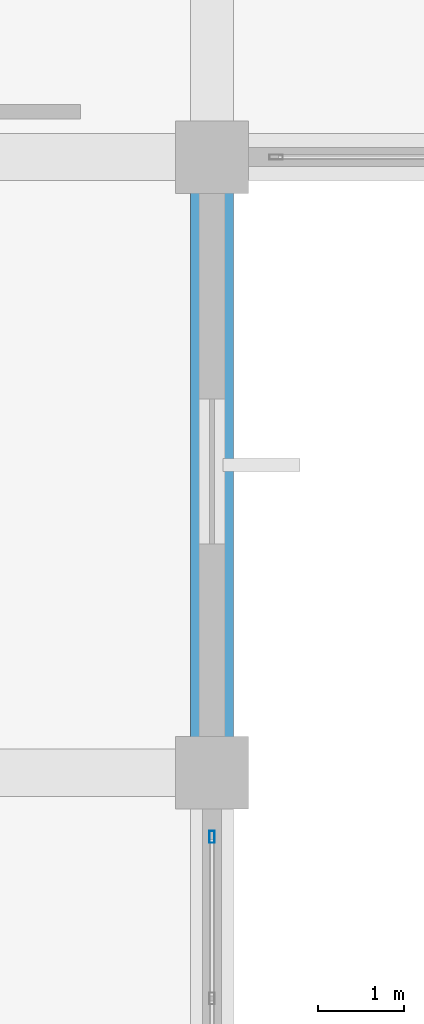
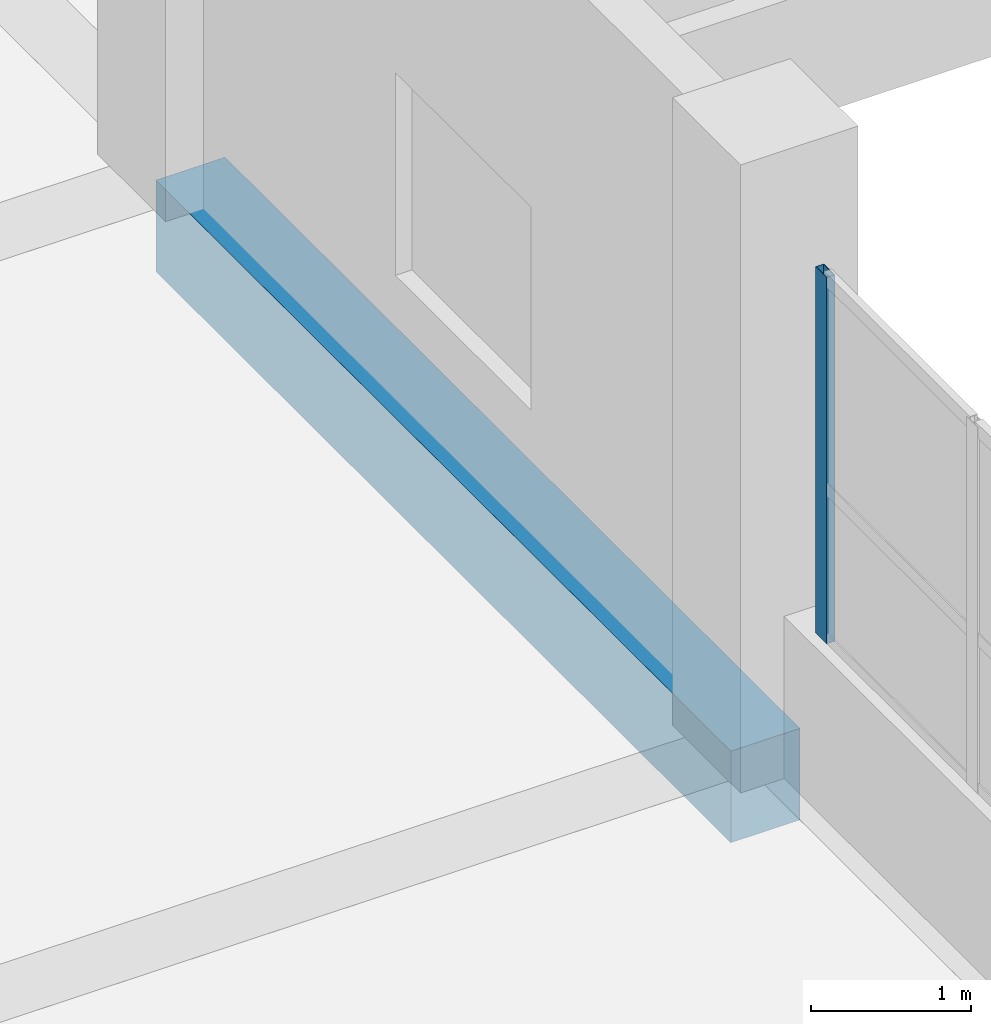
# One storey, part 92 of 181: 1 beam, 1 member, 1 element without a shape of its own.
"""IFC4 building model written with IfcOpenShell, lengths in metres."""

from ifc_helpers import new_model, si_unit, direction, frame, origin, origin_2d, place, context, subcontext, project, spatial, rectangle, hollow_rectangle, extrude, material, layer, layer_set, material_profile, profile_set, type_object, element, aggregate, save


model = new_model("IFC4")

# Units and contexts
model_context = context("Model", 3, precision=1e-05, world=origin(), true_north=direction((0.0, 1.0)))
body_context = subcontext(model_context, "Body", "Model", "MODEL_VIEW")
ifc_project = project(units=[si_unit("LENGTHUNIT", "METRE"), si_unit("AREAUNIT", "SQUARE_METRE"), si_unit("VOLUMEUNIT", "CUBIC_METRE"), si_unit("PLANEANGLEUNIT", "RADIAN"), si_unit("MASSUNIT", "GRAM", prefix="KILO")], contexts=[model_context])

# Site, building, storey
site_placement = place(None, origin())
site = spatial("IfcSite", under=ifc_project, at=site_placement, CompositionType="ELEMENT")
building_placement = place(site_placement, origin())
building = spatial("IfcBuilding", under=site, at=building_placement, Name="Seraya Terrace Polytechnic", CompositionType="ELEMENT")
storey_placement = place(building_placement, frame((0.0, 0.0, 4.800048828125)))
storey = spatial("IfcBuildingStorey", under=building, at=storey_placement, Name="L01", CompositionType="ELEMENT", Elevation=4.800048828125)

# Beam
ifc_material_1 = material(Name="Concrete C40/50", Category="concrete")
ifc_material_profile_1 = material_profile(ifc_material_1, rectangle(XDim=0.5, YDim=0.699951171875, at=origin_2d()), Name="RC 500x700")
ifc_profile_set_1 = profile_set([ifc_material_profile_1], Name="Concrete C40/50")
beam_type = type_object("IfcBeamType", Name="BM-07", PredefinedType="BEAM", material=ifc_profile_set_1)
beam_placement = place(storey_placement, frame((108.0, 64.800048828125, -0.35009765625), z_axis=(0.0, 1.0, 0.0), x_axis=(-1.0, 0.0, 0.0)))
element("IfcBeam", 1, at=beam_placement, inside=storey, type_object=beam_type, Name="Beam BM-07 L01 Y (108.0, 64.8..72.0)", PredefinedType="BEAM", context=body_context, shape_type="SweptSolid", body=[
    extrude(rectangle(XDim=0.5, YDim=0.699951171875, at=origin_2d()), origin(), (0.0, 0.0, 1.0), 7.199951171875),
])

# Curtain wall, member
ifc_material_2 = material(Name="Anodised aluminium EN AW-6063 T6", Category="aluminium")
ifc_layer = layer(ifc_material_2, 0.179931640625, Name="CW-15")
ifc_layer_set = layer_set([ifc_layer], Name="Anodised aluminium EN AW-6063 T6")
curtain_wall_type = type_object("IfcCurtainWallType", Name="CW-15", PredefinedType="NOTDEFINED", material=ifc_layer_set)
curtain_wall_placement = place(storey_placement, origin())
curtain_wall = element("IfcCurtainWall", 2, at=curtain_wall_placement, inside=storey, type_object=curtain_wall_type, Name="Unitised curtain wall CW-15 (CW-L01-051)", PredefinedType="NOTDEFINED")
ifc_material_profile_2 = material_profile(ifc_material_2, hollow_rectangle(XDim=0.06005859375, YDim=0.139892578125, WallThickness=0.00341796875, at=origin_2d()), Name="RHS 140x60x3.5")
ifc_profile_set_2 = profile_set([ifc_material_profile_2], Name="Anodised aluminium EN AW-6063 T6")
member_type = type_object("IfcMemberType", Name="CWM-03", PredefinedType="MULLION", material=ifc_profile_set_2)
member_placement = place(storey_placement, frame((108.0, 64.050048828125, 1.239990234375), z_axis=(0.0, 0.0, 1.0), x_axis=(1.0, 0.0, 0.0)))
member = element("IfcMember", 3, at=member_placement, type_object=member_type, Name="CW-15 mullion 1", PredefinedType="MULLION", context=body_context, shape_type="SweptSolid", body=[
    extrude(hollow_rectangle(XDim=0.06005859375, YDim=0.139892578125, WallThickness=0.00341796875, at=origin_2d()), origin(), (0.0, 0.0, 1.0), 2.800048828125),
])
aggregate(curtain_wall, [member])

save(model, "model.ifc")
